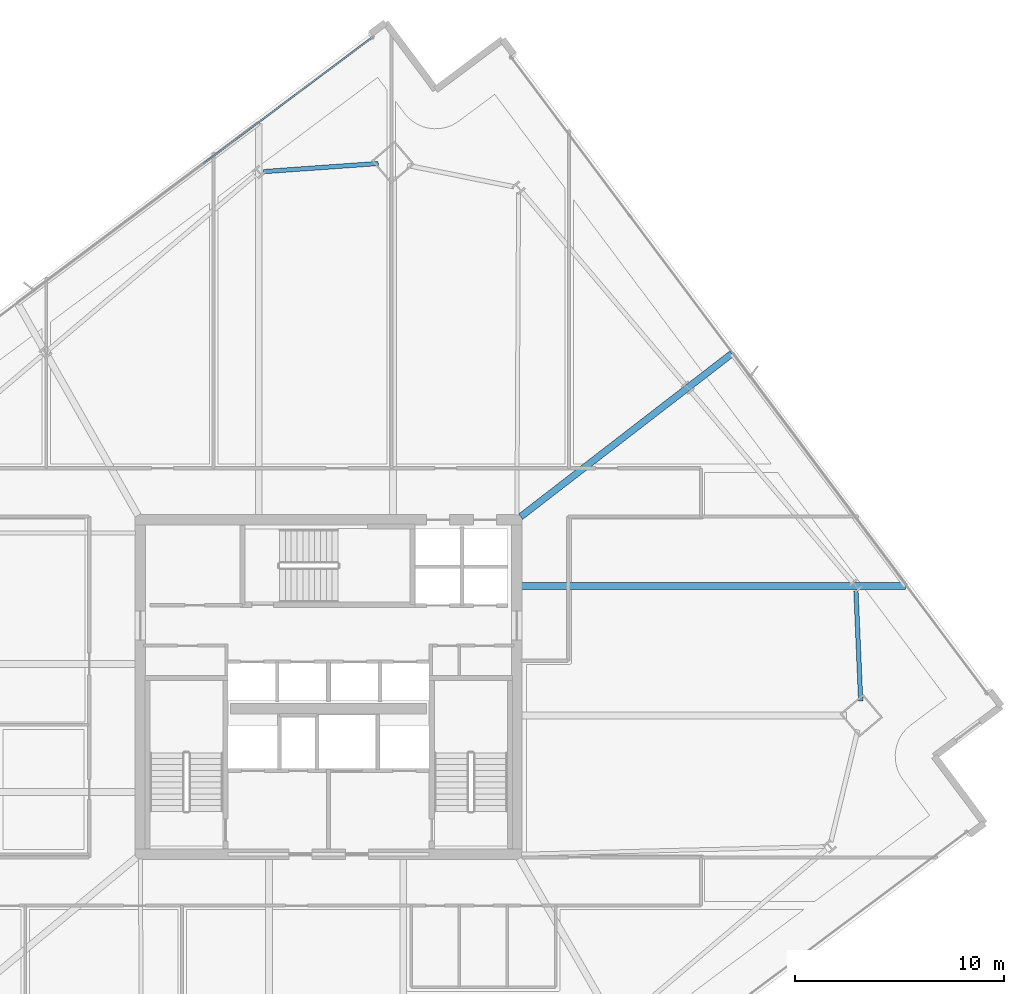
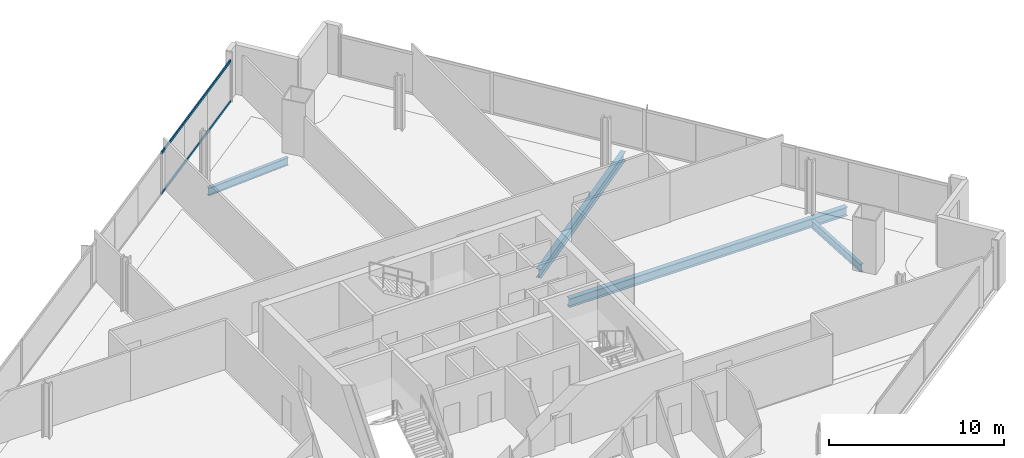
# One storey, part 16 of 32: 4 beams, 2 members, 1 element without a shape of its own.
"""IFC4 building model written with IfcOpenShell, lengths in metres."""

from ifc_helpers import new_model, si_unit, direction, frame, origin, origin_2d, place, context, subcontext, project, spatial, hollow_rectangle, i_section, extrude, material, material_profile, profile_set, type_object, element, aggregate, save


model = new_model("IFC4")

# Units and contexts
model_context = context("Model", 3, precision=1e-05, world=origin(), true_north=direction((0.0, 1.0)))
body_context = subcontext(model_context, "Body", "Model", "MODEL_VIEW")
ifc_project = project(units=[si_unit("LENGTHUNIT", "METRE"), si_unit("AREAUNIT", "SQUARE_METRE"), si_unit("VOLUMEUNIT", "CUBIC_METRE"), si_unit("PLANEANGLEUNIT", "RADIAN"), si_unit("MASSUNIT", "GRAM", prefix="KILO")], contexts=[model_context])

# Site, building, storey
site_placement = place(None, origin())
site = spatial("IfcSite", under=ifc_project, at=site_placement, CompositionType="ELEMENT")
building_placement = place(site_placement, origin())
building = spatial("IfcBuilding", under=site, at=building_placement, Name="Haldenkirk Collegiate Tower", CompositionType="ELEMENT")
storey_placement = place(building_placement, frame((0.0, 0.0, 151.949951171875)))
storey = spatial("IfcBuildingStorey", under=building, at=storey_placement, Name="L37", CompositionType="ELEMENT", Elevation=151.949951171875)

# Beams
ifc_material_1 = material(Name="Steel ASTM A992 Grade 50", Category="steel")
ifc_material_profile_1 = material_profile(ifc_material_1, i_section(OverallWidth=0.324951171875, OverallDepth=0.615966796875, WebThickness=0.013916015625, FlangeThickness=0.021484375, at=origin_2d()), Name="W24X117")
ifc_profile_set_1 = profile_set([ifc_material_profile_1], Name="Steel ASTM A992 Grade 50")
beam_type_1 = type_object("IfcBeamType", Name="BM-GIRDER-W24X117", PredefinedType="BEAM", material=ifc_profile_set_1)
beam_1_placement = place(storey_placement, frame((63.587646484375, 30.82421875, -0.597900390625), z_axis=(-1.0, 0.0, 0.0), x_axis=(0.0, -1.0, 0.0)))
element("IfcBeam", 1, at=beam_1_placement, inside=storey, type_object=beam_type_1, Name="L37 primary floor girder 08", PredefinedType="BEAM", context=body_context, shape_type="SweptSolid", body=[
    extrude(i_section(OverallWidth=0.324951171875, OverallDepth=0.615966796875, WebThickness=0.013916015625, FlangeThickness=0.021484375, at=origin_2d()), origin(), (0.0, 0.0, 1.0), 18.357666015625),
])
beam_2_placement = place(storey_placement, frame((55.277099609375, 41.932861328125, -0.597900390625), z_axis=(-0.791595194699, -0.611045863851, 0.0), x_axis=(0.611045863851, -0.791595194699, 0.0)))
element("IfcBeam", 2, at=beam_2_placement, inside=storey, type_object=beam_type_1, Name="L37 primary floor girder 09", PredefinedType="BEAM", context=body_context, shape_type="SweptSolid", body=[
    extrude(i_section(OverallWidth=0.324951171875, OverallDepth=0.615966796875, WebThickness=0.013916015625, FlangeThickness=0.021484375, at=origin_2d()), origin(), (0.0, 0.0, 1.0), 12.752685546875),
])
ifc_material_profile_2 = material_profile(ifc_material_1, i_section(OverallWidth=0.2119140625, OverallDepth=0.5439453125, WebThickness=0.01318359375, FlangeThickness=0.021240234375, at=origin_2d()), Name="W21X83")
ifc_profile_set_2 = profile_set([ifc_material_profile_2], Name="Steel ASTM A992 Grade 50")
beam_type_2 = type_object("IfcBeamType", Name="BM-SPANDREL-W21X83", PredefinedType="SPANDREL", material=ifc_profile_set_2)
beam_3_placement = place(storey_placement, frame((61.434814453125, 25.33349609375, -0.56201171875), z_axis=(-0.042833703015, 0.999082215779, 0.0), x_axis=(-0.999082215779, -0.042833703015, 0.0)))
element("IfcBeam", 3, at=beam_3_placement, inside=storey, type_object=beam_type_2, Name="L37 perimeter spandrel beam 05", PredefinedType="SPANDREL", context=body_context, shape_type="SweptSolid", body=[
    extrude(i_section(OverallWidth=0.2119140625, OverallDepth=0.5439453125, WebThickness=0.01318359375, FlangeThickness=0.021240234375, at=origin_2d()), origin(), (0.0, 0.0, 1.0), 5.2666015625),
])
beam_4_placement = place(storey_placement, frame((38.373779296875, 51.025146484375, -0.56201171875), z_axis=(-0.997489017738, -0.070821320891, 0.0), x_axis=(0.070821320891, -0.997489017738, 0.0)))
element("IfcBeam", 4, at=beam_4_placement, inside=storey, type_object=beam_type_2, Name="L37 perimeter spandrel beam 09", PredefinedType="SPANDREL", context=body_context, shape_type="SweptSolid", body=[
    extrude(i_section(OverallWidth=0.2119140625, OverallDepth=0.5439453125, WebThickness=0.01318359375, FlangeThickness=0.021240234375, at=origin_2d()), origin(), (0.0, 0.0, 1.0), 5.501953125),
])

# Curtain wall, members
ifc_material_2 = material(Name="Anodised architectural bronze aluminium", Category="aluminium")
curtain_wall_type = type_object("IfcCurtainWallType", Name="CW-SYS1-CONVEX-LOW", PredefinedType="USERDEFINED", material=ifc_material_2)
curtain_wall_placement = place(storey_placement, origin())
curtain_wall = element("IfcCurtainWall", 5, at=curtain_wall_placement, inside=storey, type_object=curtain_wall_type, Name="L37 Lower tower convex bronze-framed unitised curtain wall", ObjectType="UNITISED CURTAIN WALL", PredefinedType="USERDEFINED")
ifc_material_profile_3 = material_profile(ifc_material_2, hollow_rectangle(XDim=0.080078125, YDim=0.179931640625, WallThickness=0.0048828125, at=origin_2d()), Name="CW-TRN-1A")
ifc_profile_set_3 = profile_set([ifc_material_profile_3], Name="Anodised architectural bronze aluminium")
member_type = type_object("IfcMemberType", Name="CW-TRN-1A", PredefinedType="USERDEFINED", material=ifc_profile_set_3)
member_1_placement = place(storey_placement, frame((30.010498046875, 51.017333984375, 0.0400390625), z_axis=(0.800723807169, 0.599033709096, 0.0), x_axis=(-0.599033709096, 0.800723807169, 0.0)))
member_1 = element("IfcMember", 6, at=member_1_placement, type_object=member_type, Name="CW-1A transom 4.1", ObjectType="TRANSOM", PredefinedType="USERDEFINED", context=body_context, shape_type="SweptSolid", body=[
    extrude(hollow_rectangle(XDim=0.080078125, YDim=0.179931640625, WallThickness=0.0048828125, at=origin_2d()), origin(), (0.0, 0.0, 1.0), 10.030029296875),
])
member_2_placement = place(storey_placement, frame((30.010498046875, 51.017333984375, 2.87109375), z_axis=(0.800723807169, 0.599033709096, 0.0), x_axis=(-0.599033709096, 0.800723807169, 0.0)))
member_2 = element("IfcMember", 7, at=member_2_placement, type_object=member_type, Name="CW-1A transom 4.2", ObjectType="TRANSOM", PredefinedType="USERDEFINED", context=body_context, shape_type="SweptSolid", body=[
    extrude(hollow_rectangle(XDim=0.080078125, YDim=0.179931640625, WallThickness=0.0048828125, at=origin_2d()), origin(), (0.0, 0.0, 1.0), 10.030029296875),
])
aggregate(curtain_wall, [member_1, member_2])

save(model, "model.ifc")
